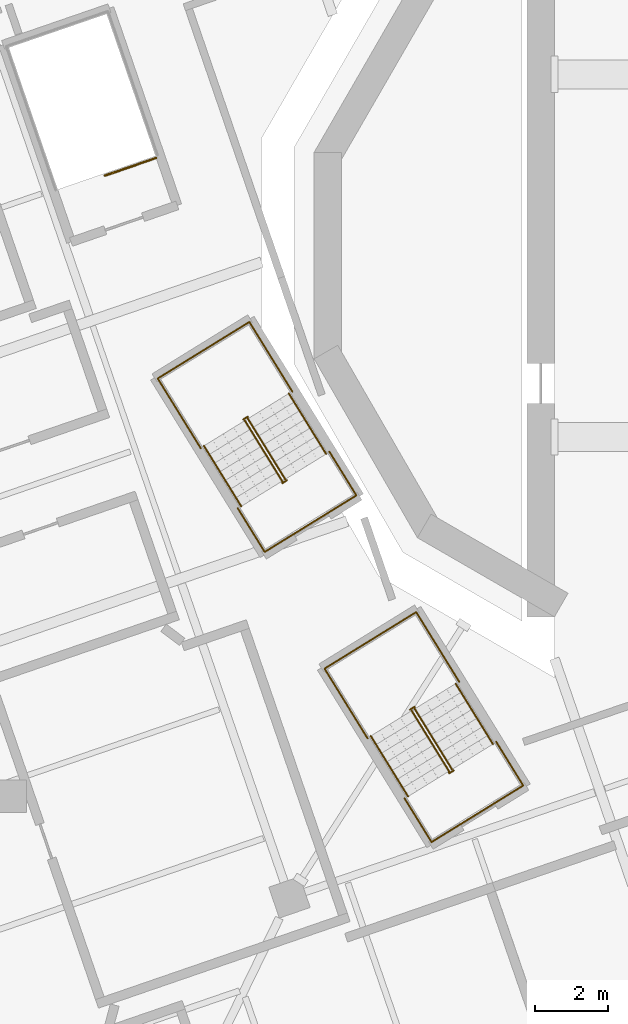
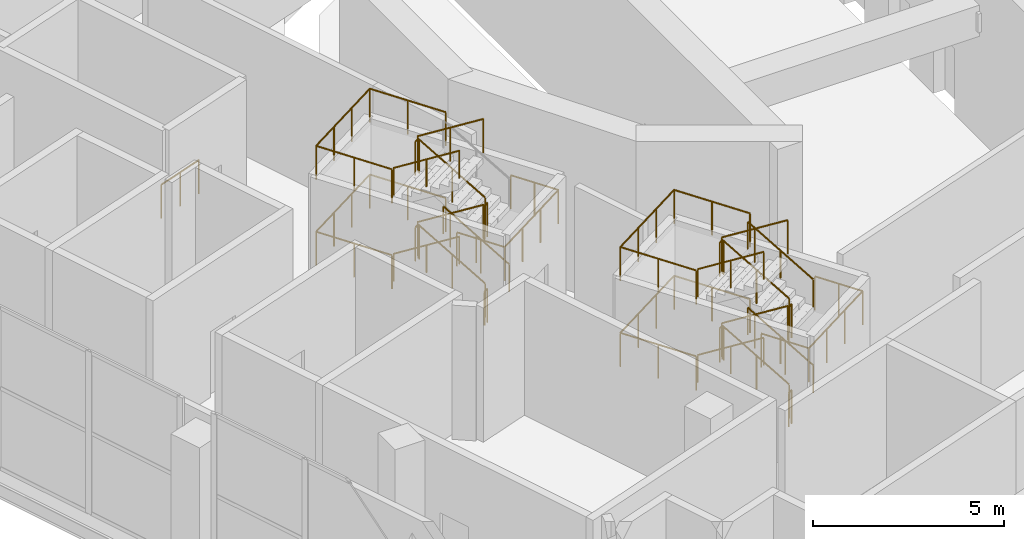
# One storey, part 17 of 20: 24 railings.
"""IFC4 building model written with IfcOpenShell, lengths in metres."""

from ifc_helpers import new_model, si_unit, direction, frame, origin, origin_2d, place, context, subcontext, project, spatial, circle, extrude, material, type_object, element, save


model = new_model("IFC4")

# Units and contexts
model_context = context("Model", 3, precision=1e-05, world=origin(), true_north=direction((0.0, 1.0)))
body_context = subcontext(model_context, "Body", "Model", "MODEL_VIEW")
ifc_project = project(units=[si_unit("LENGTHUNIT", "METRE"), si_unit("AREAUNIT", "SQUARE_METRE"), si_unit("VOLUMEUNIT", "CUBIC_METRE"), si_unit("PLANEANGLEUNIT", "RADIAN"), si_unit("MASSUNIT", "GRAM", prefix="KILO")], contexts=[model_context])

# Site, building, storey
site_placement = place(None, origin())
site = spatial("IfcSite", under=ifc_project, at=site_placement, CompositionType="ELEMENT")
building_placement = place(site_placement, origin())
building = spatial("IfcBuilding", under=site, at=building_placement, Name="Cantera Rosa Tower", CompositionType="ELEMENT")
storey_placement = place(building_placement, frame((0.0, 0.0, 142.10009765625)))
storey = spatial("IfcBuildingStorey", under=building, at=storey_placement, Name="L30", CompositionType="ELEMENT", Elevation=142.10009765625)

# Railings
ifc_material_1 = material(Name="Steel S355J2 (EN 10025-2)", Category="steel")
railing_type_1 = type_object("IfcRailingType", Name="STAIR GUARD 1100", PredefinedType="GUARDRAIL", material=ifc_material_1)
railing_1_placement = place(storey_placement, frame((-14.98046875, 2.69287109375, 0.0)))
element("IfcRailing", 1, at=railing_1_placement, inside=storey, type_object=railing_type_1, Name="L30 ST-22 top well guard 1", PredefinedType="GUARDRAIL", context=body_context, shape_type="SweptSolid", body=[
    extrude(circle(Radius=0.02392578125, at=origin_2d()), frame((0.0, 0.0, 1.076171875), z_axis=(-0.945545797087, -0.325489086777, 0.0), x_axis=(0.325489086777, -0.945545797087, 0.0)), (0.0, 0.0, 1.0), 1.500244140625),
    extrude(circle(Radius=0.02099609375, at=origin_2d()), origin(), (0.0, 0.0, 1.0), 1.052001953125),
    extrude(circle(Radius=0.02099609375, at=origin_2d()), frame((-0.709228515625, -0.244140625, 0.0)), (0.0, 0.0, 1.0), 1.052001953125),
    extrude(circle(Radius=0.02099609375, at=origin_2d()), frame((-1.41845703125, -0.48828125, 0.0)), (0.0, 0.0, 1.0), 1.052001953125),
])
railing_2_placement = place(storey_placement, frame((-11.42333984375, -6.165771484375, 0.171875)))
element("IfcRailing", 2, at=railing_2_placement, inside=storey, type_object=railing_type_1, Name="L30 ST-32 stair guard 1", PredefinedType="GUARDRAIL", context=body_context, shape_type="SweptSolid", body=[
    extrude(circle(Radius=0.02392578125, at=origin_2d()), frame((0.0, 0.0, 1.076171875), z_axis=(-0.447439880758, 0.725351531487, 0.523127813137), x_axis=(-0.851097591167, -0.525007514528, 0.0)), (0.0, 0.0, 1.0), 2.2998046875),
    extrude(circle(Radius=0.02392578125, at=origin_2d()), frame((-1.029052734375, 1.668212890625, 2.279296875), z_axis=(-0.069397501713, 0.997589087128, 0.0), x_axis=(-0.997589087128, -0.069397501713, 0.0)), (0.0, 0.0, 1.0), 0.056396484375),
    extrude(circle(Radius=0.02392578125, at=origin_2d()), frame((-1.032958984375, 1.724365234375, 2.279296875), z_axis=(-0.850819388589, -0.525458245725, 0.0), x_axis=(0.525458245725, -0.850819388589, 0.0)), (0.0, 0.0, 1.0), 0.150146484375),
    extrude(circle(Radius=0.02099609375, at=origin_2d()), origin(), (0.0, 0.0, 1.0), 1.052001953125),
    extrude(circle(Radius=0.02099609375, at=origin_2d()), frame((-0.5146484375, 0.833984375, 0.6015625)), (0.0, 0.0, 1.0), 1.052001953125),
    extrude(circle(Radius=0.02099609375, at=origin_2d()), frame((-1.029052734375, 1.668212890625, 1.203125)), (0.0, 0.0, 1.0), 1.052001953125),
    extrude(circle(Radius=0.02099609375, at=origin_2d()), frame((-1.032958984375, 1.724365234375, 1.203125)), (0.0, 0.0, 1.0), 1.052001953125),
    extrude(circle(Radius=0.02099609375, at=origin_2d()), frame((-1.16064453125, 1.6455078125, 1.203125)), (0.0, 0.0, 1.0), 1.052001953125),
])
railing_3_placement = place(storey_placement, frame((-12.53564453125, -4.549072265625, 1.546875)))
element("IfcRailing", 3, at=railing_3_placement, inside=storey, type_object=railing_type_1, Name="L30 ST-32 stair guard 2", PredefinedType="GUARDRAIL", context=body_context, shape_type="SweptSolid", body=[
    extrude(circle(Radius=0.02392578125, at=origin_2d()), frame((0.0, 0.0, 1.076171875), z_axis=(0.447354972853, -0.725385982322, 0.523152659283), x_axis=(0.85115324613, 0.524917280724, 0.0)), (0.0, 0.0, 1.0), 2.2998046875),
    extrude(circle(Radius=0.02392578125, at=origin_2d()), frame((1.02880859375, -1.668212890625, 2.279296875), z_axis=(0.073711968402, -0.997279572494, 0.0), x_axis=(0.997279572494, 0.073711968402, 0.0)), (0.0, 0.0, 1.0), 0.056396484375),
    extrude(circle(Radius=0.02392578125, at=origin_2d()), frame((1.032958984375, -1.724365234375, 2.279296875), z_axis=(0.851546489876, 0.524279100842, 0.0), x_axis=(-0.524279100842, 0.851546489876, 0.0)), (0.0, 0.0, 1.0), 0.14990234375),
    extrude(circle(Radius=0.02099609375, at=origin_2d()), origin(), (0.0, 0.0, 1.0), 1.052001953125),
    extrude(circle(Radius=0.02099609375, at=origin_2d()), frame((0.514404296875, -0.833984375, 0.6015625)), (0.0, 0.0, 1.0), 1.052001953125),
    extrude(circle(Radius=0.02099609375, at=origin_2d()), frame((1.02880859375, -1.668212890625, 1.203125)), (0.0, 0.0, 1.0), 1.052001953125),
    extrude(circle(Radius=0.02099609375, at=origin_2d()), frame((1.032958984375, -1.724365234375, 1.203125)), (0.0, 0.0, 1.0), 1.052001953125),
    extrude(circle(Radius=0.02099609375, at=origin_2d()), frame((1.16064453125, -1.645751953125, 1.203125)), (0.0, 0.0, 1.0), 1.052001953125),
])
railing_4_placement = place(storey_placement, frame((-11.42333984375, -6.165771484375, 2.921875)))
element("IfcRailing", 4, at=railing_4_placement, inside=storey, type_object=railing_type_1, Name="L30 ST-32 stair guard 3", PredefinedType="GUARDRAIL", context=body_context, shape_type="SweptSolid", body=[
    extrude(circle(Radius=0.02392578125, at=origin_2d()), frame((0.0, 0.0, 1.076171875), z_axis=(-0.447439880758, 0.725351531487, 0.523127813137), x_axis=(-0.851097591167, -0.525007514528, 0.0)), (0.0, 0.0, 1.0), 2.2998046875),
    extrude(circle(Radius=0.02392578125, at=origin_2d()), frame((-1.029052734375, 1.668212890625, 2.279296875), z_axis=(-0.069397501713, 0.997589087128, 0.0), x_axis=(-0.997589087128, -0.069397501713, 0.0)), (0.0, 0.0, 1.0), 0.056396484375),
    extrude(circle(Radius=0.02392578125, at=origin_2d()), frame((-1.032958984375, 1.724365234375, 2.279296875), z_axis=(-0.850819388589, -0.525458245725, 0.0), x_axis=(0.525458245725, -0.850819388589, 0.0)), (0.0, 0.0, 1.0), 0.150146484375),
    extrude(circle(Radius=0.02099609375, at=origin_2d()), origin(), (0.0, 0.0, 1.0), 1.052001953125),
    extrude(circle(Radius=0.02099609375, at=origin_2d()), frame((-0.5146484375, 0.833984375, 0.6015625)), (0.0, 0.0, 1.0), 1.052001953125),
    extrude(circle(Radius=0.02099609375, at=origin_2d()), frame((-1.029052734375, 1.668212890625, 1.203125)), (0.0, 0.0, 1.0), 1.052001953125),
    extrude(circle(Radius=0.02099609375, at=origin_2d()), frame((-1.032958984375, 1.724365234375, 1.203125)), (0.0, 0.0, 1.0), 1.052001953125),
    extrude(circle(Radius=0.02099609375, at=origin_2d()), frame((-1.16064453125, 1.6455078125, 1.203125)), (0.0, 0.0, 1.0), 1.052001953125),
])
railing_5_placement = place(storey_placement, frame((-12.53564453125, -4.549072265625, 4.296875)))
element("IfcRailing", 5, at=railing_5_placement, inside=storey, type_object=railing_type_1, Name="L30 ST-32 stair guard 4", PredefinedType="GUARDRAIL", context=body_context, shape_type="SweptSolid", body=[
    extrude(circle(Radius=0.02392578125, at=origin_2d()), frame((0.0, 0.0, 1.076171875), z_axis=(0.447354972853, -0.725385982322, 0.523152659283), x_axis=(0.85115324613, 0.524917280724, 0.0)), (0.0, 0.0, 1.0), 2.2998046875),
    extrude(circle(Radius=0.02099609375, at=origin_2d()), origin(), (0.0, 0.0, 1.0), 1.052001953125),
    extrude(circle(Radius=0.02099609375, at=origin_2d()), frame((0.514404296875, -0.833984375, 0.6015625)), (0.0, 0.0, 1.0), 1.052001953125),
    extrude(circle(Radius=0.02099609375, at=origin_2d()), frame((1.02880859375, -1.668212890625, 1.203125)), (0.0, 0.0, 1.0), 1.052001953125),
])
railing_6_placement = place(storey_placement, frame((-11.375, -6.19482421875, 0.0)))
element("IfcRailing", 6, at=railing_6_placement, inside=storey, type_object=railing_type_1, Name="L30 ST-32 stair guard 5", PredefinedType="GUARDRAIL", context=body_context, shape_type="SweptSolid", body=[
    extrude(circle(Radius=0.02392578125, at=origin_2d()), frame((0.0, 0.0, 1.076171875), z_axis=(-0.851546489876, -0.524279100842, 0.0), x_axis=(0.524279100842, -0.851546489876, 0.0)), (0.0, 0.0, 1.0), 0.14990234375),
    extrude(circle(Radius=0.02099609375, at=origin_2d()), origin(), (0.0, 0.0, 1.0), 1.052001953125),
    extrude(circle(Radius=0.02099609375, at=origin_2d()), frame((-0.127685546875, -0.07861328125, 0.0)), (0.0, 0.0, 1.0), 1.052001953125),
])
railing_7_placement = place(storey_placement, frame((-11.223876953125, -3.75390625, 1.375)))
element("IfcRailing", 7, at=railing_7_placement, inside=storey, type_object=railing_type_1, Name="L30 ST-32 stair guard 6", PredefinedType="GUARDRAIL", context=body_context, shape_type="SweptSolid", body=[
    extrude(circle(Radius=0.02392578125, at=origin_2d()), frame((0.0, 0.0, 1.076171875), z_axis=(-0.525012514919, 0.851094506608, 0.0), x_axis=(-0.851094506608, -0.525012514919, 0.0)), (0.0, 0.0, 1.0), 2.261962890625),
    extrude(circle(Radius=0.02392578125, at=origin_2d()), frame((-1.1875, 1.925048828125, 1.076171875), z_axis=(-0.851132917336, -0.524950242429, 0.0), x_axis=(0.524950242429, -0.851132917336, 0.0)), (0.0, 0.0, 1.0), 2.969970703125),
    extrude(circle(Radius=0.02392578125, at=origin_2d()), frame((-3.71533203125, 0.365966796875, 1.076171875), z_axis=(0.524964287811, -0.851124254456, 0.0), x_axis=(0.851124254456, 0.524964287811, 0.0)), (0.0, 0.0, 1.0), 2.261962890625),
    extrude(circle(Radius=0.02099609375, at=origin_2d()), origin(), (0.0, 0.0, 1.0), 1.052001953125),
    extrude(circle(Radius=0.02099609375, at=origin_2d()), frame((-0.59375, 0.96240234375, 0.0)), (0.0, 0.0, 1.0), 1.052001953125),
    extrude(circle(Radius=0.02099609375, at=origin_2d()), frame((-1.1875, 1.925048828125, 0.0)), (0.0, 0.0, 1.0), 1.052001953125),
    extrude(circle(Radius=0.02099609375, at=origin_2d()), frame((-2.030029296875, 1.4052734375, 0.0)), (0.0, 0.0, 1.0), 1.052001953125),
    extrude(circle(Radius=0.02099609375, at=origin_2d()), frame((-2.872802734375, 0.8857421875, 0.0)), (0.0, 0.0, 1.0), 1.052001953125),
    extrude(circle(Radius=0.02099609375, at=origin_2d()), frame((-3.71533203125, 0.365966796875, 0.0)), (0.0, 0.0, 1.0), 1.052001953125),
    extrude(circle(Radius=0.02099609375, at=origin_2d()), frame((-3.12158203125, -0.5966796875, 0.0)), (0.0, 0.0, 1.0), 1.052001953125),
    extrude(circle(Radius=0.02099609375, at=origin_2d()), frame((-2.52783203125, -1.559326171875, 0.0)), (0.0, 0.0, 1.0), 1.052001953125),
])
railing_8_placement = place(storey_placement, frame((-10.20751953125, -5.40185546875, 2.75)))
element("IfcRailing", 8, at=railing_8_placement, inside=storey, type_object=railing_type_1, Name="L30 ST-32 stair guard 7", PredefinedType="GUARDRAIL", context=body_context, shape_type="SweptSolid", body=[
    extrude(circle(Radius=0.02392578125, at=origin_2d()), frame((0.0, 0.0, 1.076171875), z_axis=(0.525035889828, -0.851080086944, 0.0), x_axis=(0.851080086944, 0.525035889828, 0.0)), (0.0, 0.0, 1.0), 1.421875),
    extrude(circle(Radius=0.02392578125, at=origin_2d()), frame((0.74658203125, -1.210205078125, 1.076171875), z_axis=(-0.851132917336, -0.524950242429, 0.0), x_axis=(0.524950242429, -0.851132917336, 0.0)), (0.0, 0.0, 1.0), 2.969970703125),
    extrude(circle(Radius=0.02392578125, at=origin_2d()), frame((-1.78125, -2.769287109375, 1.076171875), z_axis=(-0.525035889828, 0.851080086944, 0.0), x_axis=(-0.851080086944, -0.525035889828, 0.0)), (0.0, 0.0, 1.0), 1.421875),
    extrude(circle(Radius=0.02099609375, at=origin_2d()), origin(), (0.0, 0.0, 1.0), 1.052001953125),
    extrude(circle(Radius=0.02099609375, at=origin_2d()), frame((0.373291015625, -0.60498046875, 0.0)), (0.0, 0.0, 1.0), 1.052001953125),
    extrude(circle(Radius=0.02099609375, at=origin_2d()), frame((0.74658203125, -1.210205078125, 0.0)), (0.0, 0.0, 1.0), 1.052001953125),
    extrude(circle(Radius=0.02099609375, at=origin_2d()), frame((-0.095947265625, -1.72998046875, 0.0)), (0.0, 0.0, 1.0), 1.052001953125),
    extrude(circle(Radius=0.02099609375, at=origin_2d()), frame((-0.938720703125, -2.24951171875, 0.0)), (0.0, 0.0, 1.0), 1.052001953125),
    extrude(circle(Radius=0.02099609375, at=origin_2d()), frame((-1.78125, -2.769287109375, 0.0)), (0.0, 0.0, 1.0), 1.052001953125),
    extrude(circle(Radius=0.02099609375, at=origin_2d()), frame((-2.154541015625, -2.1640625, 0.0)), (0.0, 0.0, 1.0), 1.052001953125),
    extrude(circle(Radius=0.02099609375, at=origin_2d()), frame((-2.52783203125, -1.55908203125, 0.0)), (0.0, 0.0, 1.0), 1.052001953125),
])
railing_9_placement = place(storey_placement, frame((-11.223876953125, -3.75390625, 4.125)))
element("IfcRailing", 9, at=railing_9_placement, inside=storey, type_object=railing_type_1, Name="L30 ST-32 stair guard 8", PredefinedType="GUARDRAIL", context=body_context, shape_type="SweptSolid", body=[
    extrude(circle(Radius=0.02392578125, at=origin_2d()), frame((0.0, 0.0, 1.076171875), z_axis=(-0.525012514919, 0.851094506608, 0.0), x_axis=(-0.851094506608, -0.525012514919, 0.0)), (0.0, 0.0, 1.0), 2.261962890625),
    extrude(circle(Radius=0.02392578125, at=origin_2d()), frame((-1.1875, 1.925048828125, 1.076171875), z_axis=(-0.851132917336, -0.524950242429, 0.0), x_axis=(0.524950242429, -0.851132917336, 0.0)), (0.0, 0.0, 1.0), 2.969970703125),
    extrude(circle(Radius=0.02392578125, at=origin_2d()), frame((-3.71533203125, 0.365966796875, 1.076171875), z_axis=(0.524964287811, -0.851124254456, 0.0), x_axis=(0.851124254456, 0.524964287811, 0.0)), (0.0, 0.0, 1.0), 2.261962890625),
    extrude(circle(Radius=0.02099609375, at=origin_2d()), origin(), (0.0, 0.0, 1.0), 1.052001953125),
    extrude(circle(Radius=0.02099609375, at=origin_2d()), frame((-0.59375, 0.96240234375, 0.0)), (0.0, 0.0, 1.0), 1.052001953125),
    extrude(circle(Radius=0.02099609375, at=origin_2d()), frame((-1.1875, 1.925048828125, 0.0)), (0.0, 0.0, 1.0), 1.052001953125),
    extrude(circle(Radius=0.02099609375, at=origin_2d()), frame((-2.030029296875, 1.4052734375, 0.0)), (0.0, 0.0, 1.0), 1.052001953125),
    extrude(circle(Radius=0.02099609375, at=origin_2d()), frame((-2.872802734375, 0.8857421875, 0.0)), (0.0, 0.0, 1.0), 1.052001953125),
    extrude(circle(Radius=0.02099609375, at=origin_2d()), frame((-3.71533203125, 0.365966796875, 0.0)), (0.0, 0.0, 1.0), 1.052001953125),
    extrude(circle(Radius=0.02099609375, at=origin_2d()), frame((-3.12158203125, -0.5966796875, 0.0)), (0.0, 0.0, 1.0), 1.052001953125),
    extrude(circle(Radius=0.02099609375, at=origin_2d()), frame((-2.52783203125, -1.559326171875, 0.0)), (0.0, 0.0, 1.0), 1.052001953125),
])
railing_10_placement = place(storey_placement, frame((-6.8232421875, -14.165771484375, 0.171875)))
element("IfcRailing", 10, at=railing_10_placement, inside=storey, type_object=railing_type_1, Name="L30 ST-33 stair guard 1", PredefinedType="GUARDRAIL", context=body_context, shape_type="SweptSolid", body=[
    extrude(circle(Radius=0.02392578125, at=origin_2d()), frame((0.0, 0.0, 1.076171875), z_axis=(-0.447439880758, 0.725351531487, 0.523127813137), x_axis=(-0.851097591167, -0.525007514528, 0.0)), (0.0, 0.0, 1.0), 2.2998046875),
    extrude(circle(Radius=0.02392578125, at=origin_2d()), frame((-1.029052734375, 1.668212890625, 2.279296875), z_axis=(-0.073711968402, 0.997279572494, 0.0), x_axis=(-0.997279572494, -0.073711968402, 0.0)), (0.0, 0.0, 1.0), 0.056396484375),
    extrude(circle(Radius=0.02392578125, at=origin_2d()), frame((-1.033203125, 1.724365234375, 2.279296875), z_axis=(-0.850819388589, -0.525458245725, 0.0), x_axis=(0.525458245725, -0.850819388589, 0.0)), (0.0, 0.0, 1.0), 0.150146484375),
    extrude(circle(Radius=0.02099609375, at=origin_2d()), origin(), (0.0, 0.0, 1.0), 1.052001953125),
    extrude(circle(Radius=0.02099609375, at=origin_2d()), frame((-0.5146484375, 0.833984375, 0.6015625)), (0.0, 0.0, 1.0), 1.052001953125),
    extrude(circle(Radius=0.02099609375, at=origin_2d()), frame((-1.029052734375, 1.668212890625, 1.203125)), (0.0, 0.0, 1.0), 1.052001953125),
    extrude(circle(Radius=0.02099609375, at=origin_2d()), frame((-1.033203125, 1.724365234375, 1.203125)), (0.0, 0.0, 1.0), 1.052001953125),
    extrude(circle(Radius=0.02099609375, at=origin_2d()), frame((-1.160888671875, 1.6455078125, 1.203125)), (0.0, 0.0, 1.0), 1.052001953125),
])
railing_11_placement = place(storey_placement, frame((-7.935791015625, -12.549072265625, 1.546875)))
element("IfcRailing", 11, at=railing_11_placement, inside=storey, type_object=railing_type_1, Name="L30 ST-33 stair guard 2", PredefinedType="GUARDRAIL", context=body_context, shape_type="SweptSolid", body=[
    extrude(circle(Radius=0.02392578125, at=origin_2d()), frame((0.0, 0.0, 1.076171875), z_axis=(0.447439880758, -0.725351531487, 0.523127813137), x_axis=(0.851097591167, 0.525007514528, 0.0)), (0.0, 0.0, 1.0), 2.2998046875),
    extrude(circle(Radius=0.02392578125, at=origin_2d()), frame((1.029052734375, -1.668212890625, 2.279296875), z_axis=(0.073711968402, -0.997279572494, 0.0), x_axis=(0.997279572494, 0.073711968402, 0.0)), (0.0, 0.0, 1.0), 0.056396484375),
    extrude(circle(Radius=0.02392578125, at=origin_2d()), frame((1.033203125, -1.724365234375, 2.279296875), z_axis=(0.851546489876, 0.524279100842, 0.0), x_axis=(-0.524279100842, 0.851546489876, 0.0)), (0.0, 0.0, 1.0), 0.14990234375),
    extrude(circle(Radius=0.02099609375, at=origin_2d()), origin(), (0.0, 0.0, 1.0), 1.052001953125),
    extrude(circle(Radius=0.02099609375, at=origin_2d()), frame((0.5146484375, -0.833984375, 0.6015625)), (0.0, 0.0, 1.0), 1.052001953125),
    extrude(circle(Radius=0.02099609375, at=origin_2d()), frame((1.029052734375, -1.668212890625, 1.203125)), (0.0, 0.0, 1.0), 1.052001953125),
    extrude(circle(Radius=0.02099609375, at=origin_2d()), frame((1.033203125, -1.724365234375, 1.203125)), (0.0, 0.0, 1.0), 1.052001953125),
    extrude(circle(Radius=0.02099609375, at=origin_2d()), frame((1.160888671875, -1.645751953125, 1.203125)), (0.0, 0.0, 1.0), 1.052001953125),
])
railing_12_placement = place(storey_placement, frame((-6.8232421875, -14.165771484375, 2.921875)))
element("IfcRailing", 12, at=railing_12_placement, inside=storey, type_object=railing_type_1, Name="L30 ST-33 stair guard 3", PredefinedType="GUARDRAIL", context=body_context, shape_type="SweptSolid", body=[
    extrude(circle(Radius=0.02392578125, at=origin_2d()), frame((0.0, 0.0, 1.076171875), z_axis=(-0.447439880758, 0.725351531487, 0.523127813137), x_axis=(-0.851097591167, -0.525007514528, 0.0)), (0.0, 0.0, 1.0), 2.2998046875),
    extrude(circle(Radius=0.02392578125, at=origin_2d()), frame((-1.029052734375, 1.668212890625, 2.279296875), z_axis=(-0.073711968402, 0.997279572494, 0.0), x_axis=(-0.997279572494, -0.073711968402, 0.0)), (0.0, 0.0, 1.0), 0.056396484375),
    extrude(circle(Radius=0.02392578125, at=origin_2d()), frame((-1.033203125, 1.724365234375, 2.279296875), z_axis=(-0.850819388589, -0.525458245725, 0.0), x_axis=(0.525458245725, -0.850819388589, 0.0)), (0.0, 0.0, 1.0), 0.150146484375),
    extrude(circle(Radius=0.02099609375, at=origin_2d()), origin(), (0.0, 0.0, 1.0), 1.052001953125),
    extrude(circle(Radius=0.02099609375, at=origin_2d()), frame((-0.5146484375, 0.833984375, 0.6015625)), (0.0, 0.0, 1.0), 1.052001953125),
    extrude(circle(Radius=0.02099609375, at=origin_2d()), frame((-1.029052734375, 1.668212890625, 1.203125)), (0.0, 0.0, 1.0), 1.052001953125),
    extrude(circle(Radius=0.02099609375, at=origin_2d()), frame((-1.033203125, 1.724365234375, 1.203125)), (0.0, 0.0, 1.0), 1.052001953125),
    extrude(circle(Radius=0.02099609375, at=origin_2d()), frame((-1.160888671875, 1.6455078125, 1.203125)), (0.0, 0.0, 1.0), 1.052001953125),
])
railing_13_placement = place(storey_placement, frame((-7.935791015625, -12.549072265625, 4.296875)))
element("IfcRailing", 13, at=railing_13_placement, inside=storey, type_object=railing_type_1, Name="L30 ST-33 stair guard 4", PredefinedType="GUARDRAIL", context=body_context, shape_type="SweptSolid", body=[
    extrude(circle(Radius=0.02392578125, at=origin_2d()), frame((0.0, 0.0, 1.076171875), z_axis=(0.447439880758, -0.725351531487, 0.523127813137), x_axis=(0.851097591167, 0.525007514528, 0.0)), (0.0, 0.0, 1.0), 2.2998046875),
    extrude(circle(Radius=0.02099609375, at=origin_2d()), origin(), (0.0, 0.0, 1.0), 1.052001953125),
    extrude(circle(Radius=0.02099609375, at=origin_2d()), frame((0.5146484375, -0.833984375, 0.6015625)), (0.0, 0.0, 1.0), 1.052001953125),
    extrude(circle(Radius=0.02099609375, at=origin_2d()), frame((1.029052734375, -1.668212890625, 1.203125)), (0.0, 0.0, 1.0), 1.052001953125),
])
railing_14_placement = place(storey_placement, frame((-6.77490234375, -14.19482421875, 0.0)))
element("IfcRailing", 14, at=railing_14_placement, inside=storey, type_object=railing_type_1, Name="L30 ST-33 stair guard 5", PredefinedType="GUARDRAIL", context=body_context, shape_type="SweptSolid", body=[
    extrude(circle(Radius=0.02392578125, at=origin_2d()), frame((0.0, 0.0, 1.076171875), z_axis=(-0.851546489876, -0.524279100842, 0.0), x_axis=(0.524279100842, -0.851546489876, 0.0)), (0.0, 0.0, 1.0), 0.14990234375),
    extrude(circle(Radius=0.02099609375, at=origin_2d()), origin(), (0.0, 0.0, 1.0), 1.052001953125),
    extrude(circle(Radius=0.02099609375, at=origin_2d()), frame((-0.127685546875, -0.07861328125, 0.0)), (0.0, 0.0, 1.0), 1.052001953125),
])
railing_15_placement = place(storey_placement, frame((-6.623779296875, -11.75390625, 1.375)))
element("IfcRailing", 15, at=railing_15_placement, inside=storey, type_object=railing_type_1, Name="L30 ST-33 stair guard 6", PredefinedType="GUARDRAIL", context=body_context, shape_type="SweptSolid", body=[
    extrude(circle(Radius=0.02392578125, at=origin_2d()), frame((0.0, 0.0, 1.076171875), z_axis=(-0.525012514919, 0.851094506608, 0.0), x_axis=(-0.851094506608, -0.525012514919, 0.0)), (0.0, 0.0, 1.0), 2.261962890625),
    extrude(circle(Radius=0.02392578125, at=origin_2d()), frame((-1.1875, 1.925048828125, 1.076171875), z_axis=(-0.851132917336, -0.524950242429, 0.0), x_axis=(0.524950242429, -0.851132917336, 0.0)), (0.0, 0.0, 1.0), 2.969970703125),
    extrude(circle(Radius=0.02392578125, at=origin_2d()), frame((-3.71533203125, 0.365966796875, 1.076171875), z_axis=(0.524964287811, -0.851124254456, 0.0), x_axis=(0.851124254456, 0.524964287811, 0.0)), (0.0, 0.0, 1.0), 2.261962890625),
    extrude(circle(Radius=0.02099609375, at=origin_2d()), origin(), (0.0, 0.0, 1.0), 1.052001953125),
    extrude(circle(Radius=0.02099609375, at=origin_2d()), frame((-0.59375, 0.96240234375, 0.0)), (0.0, 0.0, 1.0), 1.052001953125),
    extrude(circle(Radius=0.02099609375, at=origin_2d()), frame((-1.1875, 1.925048828125, 0.0)), (0.0, 0.0, 1.0), 1.052001953125),
    extrude(circle(Radius=0.02099609375, at=origin_2d()), frame((-2.030029296875, 1.4052734375, 0.0)), (0.0, 0.0, 1.0), 1.052001953125),
    extrude(circle(Radius=0.02099609375, at=origin_2d()), frame((-2.872802734375, 0.8857421875, 0.0)), (0.0, 0.0, 1.0), 1.052001953125),
    extrude(circle(Radius=0.02099609375, at=origin_2d()), frame((-3.71533203125, 0.365966796875, 0.0)), (0.0, 0.0, 1.0), 1.052001953125),
    extrude(circle(Radius=0.02099609375, at=origin_2d()), frame((-3.12158203125, -0.5966796875, 0.0)), (0.0, 0.0, 1.0), 1.052001953125),
    extrude(circle(Radius=0.02099609375, at=origin_2d()), frame((-2.52783203125, -1.559326171875, 0.0)), (0.0, 0.0, 1.0), 1.052001953125),
])
railing_16_placement = place(storey_placement, frame((-5.607421875, -13.40185546875, 2.75)))
element("IfcRailing", 16, at=railing_16_placement, inside=storey, type_object=railing_type_1, Name="L30 ST-33 stair guard 7", PredefinedType="GUARDRAIL", context=body_context, shape_type="SweptSolid", body=[
    extrude(circle(Radius=0.02392578125, at=origin_2d()), frame((0.0, 0.0, 1.076171875), z_axis=(0.525035889828, -0.851080086944, 0.0), x_axis=(0.851080086944, 0.525035889828, 0.0)), (0.0, 0.0, 1.0), 1.421875),
    extrude(circle(Radius=0.02392578125, at=origin_2d()), frame((0.74658203125, -1.210205078125, 1.076171875), z_axis=(-0.851132917336, -0.524950242429, 0.0), x_axis=(0.524950242429, -0.851132917336, 0.0)), (0.0, 0.0, 1.0), 2.969970703125),
    extrude(circle(Radius=0.02392578125, at=origin_2d()), frame((-1.78125, -2.769287109375, 1.076171875), z_axis=(-0.525035889828, 0.851080086944, 0.0), x_axis=(-0.851080086944, -0.525035889828, 0.0)), (0.0, 0.0, 1.0), 1.421875),
    extrude(circle(Radius=0.02099609375, at=origin_2d()), origin(), (0.0, 0.0, 1.0), 1.052001953125),
    extrude(circle(Radius=0.02099609375, at=origin_2d()), frame((0.373291015625, -0.60498046875, 0.0)), (0.0, 0.0, 1.0), 1.052001953125),
    extrude(circle(Radius=0.02099609375, at=origin_2d()), frame((0.74658203125, -1.210205078125, 0.0)), (0.0, 0.0, 1.0), 1.052001953125),
    extrude(circle(Radius=0.02099609375, at=origin_2d()), frame((-0.095947265625, -1.72998046875, 0.0)), (0.0, 0.0, 1.0), 1.052001953125),
    extrude(circle(Radius=0.02099609375, at=origin_2d()), frame((-0.938720703125, -2.24951171875, 0.0)), (0.0, 0.0, 1.0), 1.052001953125),
    extrude(circle(Radius=0.02099609375, at=origin_2d()), frame((-1.78125, -2.769287109375, 0.0)), (0.0, 0.0, 1.0), 1.052001953125),
    extrude(circle(Radius=0.02099609375, at=origin_2d()), frame((-2.154541015625, -2.1640625, 0.0)), (0.0, 0.0, 1.0), 1.052001953125),
    extrude(circle(Radius=0.02099609375, at=origin_2d()), frame((-2.52783203125, -1.55908203125, 0.0)), (0.0, 0.0, 1.0), 1.052001953125),
])
railing_17_placement = place(storey_placement, frame((-6.623779296875, -11.75390625, 4.125)))
element("IfcRailing", 17, at=railing_17_placement, inside=storey, type_object=railing_type_1, Name="L30 ST-33 stair guard 8", PredefinedType="GUARDRAIL", context=body_context, shape_type="SweptSolid", body=[
    extrude(circle(Radius=0.02392578125, at=origin_2d()), frame((0.0, 0.0, 1.076171875), z_axis=(-0.525012514919, 0.851094506608, 0.0), x_axis=(-0.851094506608, -0.525012514919, 0.0)), (0.0, 0.0, 1.0), 2.261962890625),
    extrude(circle(Radius=0.02392578125, at=origin_2d()), frame((-1.1875, 1.925048828125, 1.076171875), z_axis=(-0.851132917336, -0.524950242429, 0.0), x_axis=(0.524950242429, -0.851132917336, 0.0)), (0.0, 0.0, 1.0), 2.969970703125),
    extrude(circle(Radius=0.02392578125, at=origin_2d()), frame((-3.71533203125, 0.365966796875, 1.076171875), z_axis=(0.524964287811, -0.851124254456, 0.0), x_axis=(0.851124254456, 0.524964287811, 0.0)), (0.0, 0.0, 1.0), 2.261962890625),
    extrude(circle(Radius=0.02099609375, at=origin_2d()), origin(), (0.0, 0.0, 1.0), 1.052001953125),
    extrude(circle(Radius=0.02099609375, at=origin_2d()), frame((-0.59375, 0.96240234375, 0.0)), (0.0, 0.0, 1.0), 1.052001953125),
    extrude(circle(Radius=0.02099609375, at=origin_2d()), frame((-1.1875, 1.925048828125, 0.0)), (0.0, 0.0, 1.0), 1.052001953125),
    extrude(circle(Radius=0.02099609375, at=origin_2d()), frame((-2.030029296875, 1.4052734375, 0.0)), (0.0, 0.0, 1.0), 1.052001953125),
    extrude(circle(Radius=0.02099609375, at=origin_2d()), frame((-2.872802734375, 0.8857421875, 0.0)), (0.0, 0.0, 1.0), 1.052001953125),
    extrude(circle(Radius=0.02099609375, at=origin_2d()), frame((-3.71533203125, 0.365966796875, 0.0)), (0.0, 0.0, 1.0), 1.052001953125),
    extrude(circle(Radius=0.02099609375, at=origin_2d()), frame((-3.12158203125, -0.5966796875, 0.0)), (0.0, 0.0, 1.0), 1.052001953125),
    extrude(circle(Radius=0.02099609375, at=origin_2d()), frame((-2.52783203125, -1.559326171875, 0.0)), (0.0, 0.0, 1.0), 1.052001953125),
])
ifc_material_2 = material(Name="Steel S355J2 (EN 10025-2)", Category="steel")
railing_type_2 = type_object("IfcRailingType", Name="STAIR HANDRAIL 900", PredefinedType="HANDRAIL", material=ifc_material_2)
railing_18_placement = place(storey_placement, frame((-10.294677734375, -5.4697265625, 0.171875)))
element("IfcRailing", 18, at=railing_18_placement, inside=storey, type_object=railing_type_2, Name="L30 ST-32 stair handrail 1", PredefinedType="HANDRAIL", context=body_context, shape_type="SweptSolid", body=[
    extrude(circle(Radius=0.02392578125, at=origin_2d()), frame((0.0, 0.0, 0.8759765625), z_axis=(-0.447439880758, 0.725351531487, 0.523127813137), x_axis=(-0.851097591167, -0.525007514528, 0.0)), (0.0, 0.0, 1.0), 2.2998046875),
    extrude(circle(Radius=0.02099609375, at=origin_2d()), origin(), (0.0, 0.0, 1.0), 0.851806640625),
    extrude(circle(Radius=0.02099609375, at=origin_2d()), frame((-0.5146484375, 0.833984375, 0.6015625)), (0.0, 0.0, 1.0), 0.851806640625),
    extrude(circle(Radius=0.02099609375, at=origin_2d()), frame((-1.029052734375, 1.668212890625, 1.203125)), (0.0, 0.0, 1.0), 0.851806640625),
])
for number, where, name in (
    (19, (-13.664306640625, -5.2451171875, 1.546875), "L30 ST-32 stair handrail 2"),
    (20, (-13.664306640625, -5.2451171875, 4.296875), "L30 ST-32 stair handrail 4"),
):
    element("IfcRailing", number, at=place(storey_placement, frame(where)), inside=storey, type_object=railing_type_2, Name=name, PredefinedType="HANDRAIL", context=body_context, shape_type="SweptSolid", body=[
        extrude(circle(Radius=0.02392578125, at=origin_2d()), frame((0.0, 0.0, 0.8759765625), z_axis=(0.447439880758, -0.725351531487, 0.523127813137), x_axis=(0.851097591167, 0.525007514528, 0.0)), (0.0, 0.0, 1.0), 2.2998046875),
        extrude(circle(Radius=0.02099609375, at=origin_2d()), origin(), (0.0, 0.0, 1.0), 0.851806640625),
        extrude(circle(Radius=0.02099609375, at=origin_2d()), frame((0.5146484375, -0.833984375, 0.6015625)), (0.0, 0.0, 1.0), 0.851806640625),
        extrude(circle(Radius=0.02099609375, at=origin_2d()), frame((1.029052734375, -1.668212890625, 1.203125)), (0.0, 0.0, 1.0), 0.851806640625),
    ])
railing_19_placement = place(storey_placement, frame((-5.69482421875, -13.4697265625, 0.171875)))
element("IfcRailing", 21, at=railing_19_placement, inside=storey, type_object=railing_type_2, Name="L30 ST-33 stair handrail 1", PredefinedType="HANDRAIL", context=body_context, shape_type="SweptSolid", body=[
    extrude(circle(Radius=0.02392578125, at=origin_2d()), frame((0.0, 0.0, 0.8759765625), z_axis=(-0.447354972853, 0.725385982322, 0.523152659283), x_axis=(-0.85115324613, -0.524917280724, 0.0)), (0.0, 0.0, 1.0), 2.2998046875),
    extrude(circle(Radius=0.02099609375, at=origin_2d()), origin(), (0.0, 0.0, 1.0), 0.851806640625),
    extrude(circle(Radius=0.02099609375, at=origin_2d()), frame((-0.514404296875, 0.833984375, 0.6015625)), (0.0, 0.0, 1.0), 0.851806640625),
    extrude(circle(Radius=0.02099609375, at=origin_2d()), frame((-1.02880859375, 1.668212890625, 1.203125)), (0.0, 0.0, 1.0), 0.851806640625),
])
railing_20_placement = place(storey_placement, frame((-9.064208984375, -13.2451171875, 1.546875)))
element("IfcRailing", 22, at=railing_20_placement, inside=storey, type_object=railing_type_2, Name="L30 ST-33 stair handrail 2", PredefinedType="HANDRAIL", context=body_context, shape_type="SweptSolid", body=[
    extrude(circle(Radius=0.02392578125, at=origin_2d()), frame((0.0, 0.0, 0.8759765625), z_axis=(0.447354972853, -0.725385982322, 0.523152659283), x_axis=(0.85115324613, 0.524917280724, 0.0)), (0.0, 0.0, 1.0), 2.2998046875),
    extrude(circle(Radius=0.02099609375, at=origin_2d()), origin(), (0.0, 0.0, 1.0), 0.851806640625),
    extrude(circle(Radius=0.02099609375, at=origin_2d()), frame((0.514404296875, -0.833984375, 0.6015625)), (0.0, 0.0, 1.0), 0.851806640625),
    extrude(circle(Radius=0.02099609375, at=origin_2d()), frame((1.02880859375, -1.668212890625, 1.203125)), (0.0, 0.0, 1.0), 0.851806640625),
])
railing_21_placement = place(storey_placement, frame((-5.69482421875, -13.4697265625, 2.921875)))
element("IfcRailing", 23, at=railing_21_placement, inside=storey, type_object=railing_type_2, Name="L30 ST-33 stair handrail 3", PredefinedType="HANDRAIL", context=body_context, shape_type="SweptSolid", body=[
    extrude(circle(Radius=0.02392578125, at=origin_2d()), frame((0.0, 0.0, 0.8759765625), z_axis=(-0.447354972853, 0.725385982322, 0.523152659283), x_axis=(-0.85115324613, -0.524917280724, 0.0)), (0.0, 0.0, 1.0), 2.2998046875),
    extrude(circle(Radius=0.02099609375, at=origin_2d()), origin(), (0.0, 0.0, 1.0), 0.851806640625),
    extrude(circle(Radius=0.02099609375, at=origin_2d()), frame((-0.514404296875, 0.833984375, 0.6015625)), (0.0, 0.0, 1.0), 0.851806640625),
    extrude(circle(Radius=0.02099609375, at=origin_2d()), frame((-1.02880859375, 1.668212890625, 1.203125)), (0.0, 0.0, 1.0), 0.851806640625),
])
railing_22_placement = place(storey_placement, frame((-9.064208984375, -13.2451171875, 4.296875)))
element("IfcRailing", 24, at=railing_22_placement, inside=storey, type_object=railing_type_2, Name="L30 ST-33 stair handrail 4", PredefinedType="HANDRAIL", context=body_context, shape_type="SweptSolid", body=[
    extrude(circle(Radius=0.02392578125, at=origin_2d()), frame((0.0, 0.0, 0.8759765625), z_axis=(0.447354972853, -0.725385982322, 0.523152659283), x_axis=(0.85115324613, 0.524917280724, 0.0)), (0.0, 0.0, 1.0), 2.2998046875),
    extrude(circle(Radius=0.02099609375, at=origin_2d()), origin(), (0.0, 0.0, 1.0), 0.851806640625),
    extrude(circle(Radius=0.02099609375, at=origin_2d()), frame((0.514404296875, -0.833984375, 0.6015625)), (0.0, 0.0, 1.0), 0.851806640625),
    extrude(circle(Radius=0.02099609375, at=origin_2d()), frame((1.02880859375, -1.668212890625, 1.203125)), (0.0, 0.0, 1.0), 0.851806640625),
])

save(model, "model.ifc")
